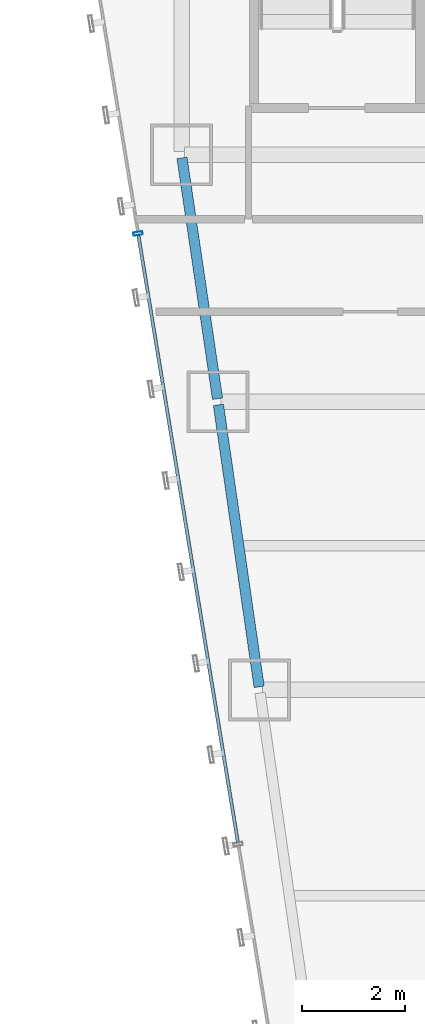
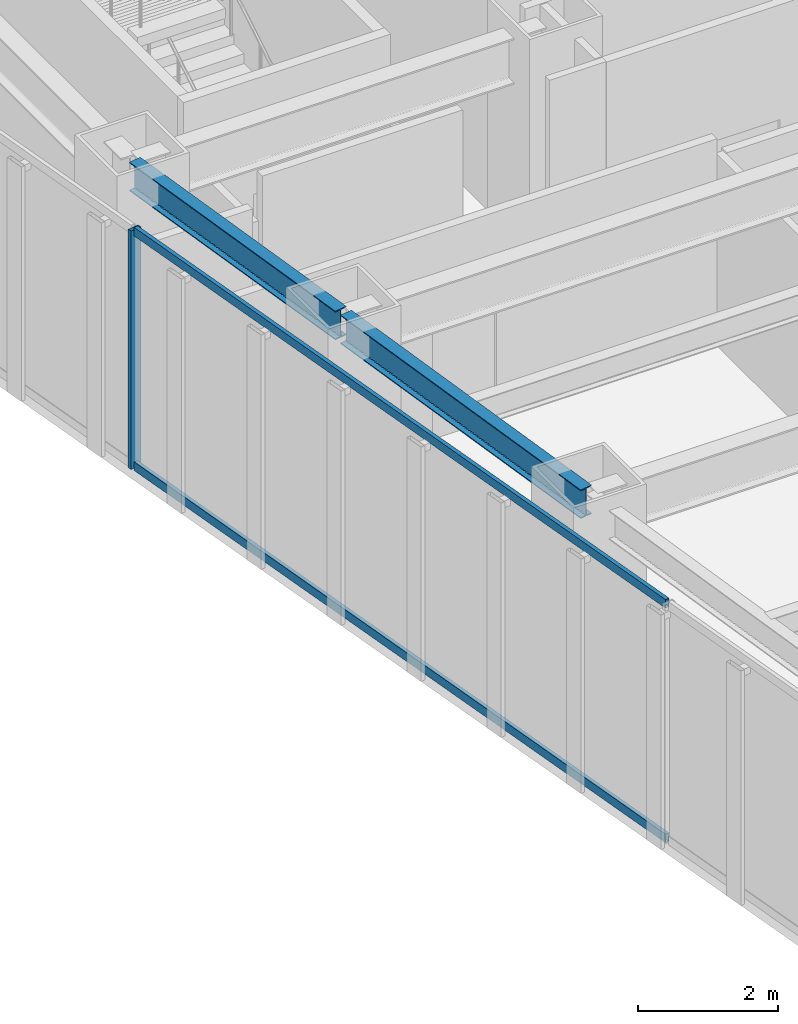
# One storey, part 22 of 47: 3 members, 2 beams, 1 element without a shape of its own.
"""IFC4 building model written with IfcOpenShell, lengths in metres."""

from ifc_helpers import new_model, si_unit, direction, frame, origin, origin_2d, place, context, subcontext, project, spatial, hollow_rectangle, i_section, extrude, material, material_profile, profile_set, type_object, element, aggregate, save


model = new_model("IFC4")

# Units and contexts
model_context = context("Model", 3, precision=1e-05, world=origin(), true_north=direction((0.0, 1.0)))
body_context = subcontext(model_context, "Body", "Model", "MODEL_VIEW")
ifc_project = project(units=[si_unit("LENGTHUNIT", "METRE"), si_unit("AREAUNIT", "SQUARE_METRE"), si_unit("VOLUMEUNIT", "CUBIC_METRE"), si_unit("PLANEANGLEUNIT", "RADIAN"), si_unit("MASSUNIT", "GRAM", prefix="KILO")], contexts=[model_context])

# Site, building, storey
site_placement = place(None, origin())
site = spatial("IfcSite", under=ifc_project, at=site_placement, CompositionType="ELEMENT")
building_placement = place(site_placement, origin())
building = spatial("IfcBuilding", under=site, at=building_placement, Name="Saevonmaru Cultural Tower", CompositionType="ELEMENT")
storey_placement = place(building_placement, frame((0.0, 0.0, 64.800048828125)))
storey = spatial("IfcBuildingStorey", under=building, at=storey_placement, Name="L13", CompositionType="ELEMENT", Elevation=64.800048828125)

# Beams
ifc_material_1 = material(Name="Steel SM355", Category="steel")
ifc_material_profile_1 = material_profile(ifc_material_1, i_section(OverallWidth=0.199951171875, OverallDepth=0.5, WebThickness=0.010009765625, FlangeThickness=0.01611328125, FilletRadius=0.02001953125, at=origin_2d()), Name="H-500x200x10x16")
ifc_profile_set_1 = profile_set([ifc_material_profile_1], Name="Steel SM355")
beam_type = type_object("IfcBeamType", Name="BM-SP-H500", PredefinedType="SPANDREL", material=ifc_profile_set_1)
beam_1_placement = place(storey_placement, frame((8.308349609375, 32.059326171875, 3.89990234375), z_axis=(-0.142964121327, 0.989727871697, 0.0), x_axis=(-0.989727871697, -0.142964121327, 0.0)))
element("IfcBeam", 1, at=beam_1_placement, inside=storey, type_object=beam_type, Name="L13 West Splayed Spandrel 5", PredefinedType="SPANDREL", context=body_context, shape_type="SweptSolid", body=[
    extrude(i_section(OverallWidth=0.199951171875, OverallDepth=0.5, WebThickness=0.010009765625, FlangeThickness=0.01611328125, FilletRadius=0.02001953125, at=origin_2d()), origin(), (0.0, 0.0, 1.0), 5.5380859375),
])
beam_2_placement = place(storey_placement, frame((7.499267578125, 37.659423828125, 3.89990234375), z_axis=(-0.145912860028, 0.989297446312, 0.0), x_axis=(-0.989297446312, -0.145912860028, 0.0)))
element("IfcBeam", 2, at=beam_2_placement, inside=storey, type_object=beam_type, Name="L13 West Splayed Spandrel 6", PredefinedType="SPANDREL", context=body_context, shape_type="SweptSolid", body=[
    extrude(i_section(OverallWidth=0.199951171875, OverallDepth=0.5, WebThickness=0.010009765625, FlangeThickness=0.01611328125, FilletRadius=0.02001953125, at=origin_2d()), origin(), (0.0, 0.0, 1.0), 4.731689453125),
])

# Curtain wall, members
ifc_material_2 = material(Name="Satin Bronze Anodised Aluminium", Category="aluminium")
curtain_wall_type = type_object("IfcCurtainWallType", Name="CW-TYP-A", PredefinedType="NOTDEFINED", material=ifc_material_2)
curtain_wall_placement = place(storey_placement, origin())
curtain_wall = element("IfcCurtainWall", 3, at=curtain_wall_placement, inside=storey, type_object=curtain_wall_type, Name="L13 Unitised Curtain Wall E12", PredefinedType="NOTDEFINED")
ifc_material_profile_2 = material_profile(ifc_material_2, hollow_rectangle(XDim=0.06494140625, YDim=0.179931640625, WallThickness=0.00390625, at=origin_2d()), Name="ALU-MULL-180x65x4")
ifc_profile_set_2 = profile_set([ifc_material_profile_2], Name="Satin Bronze Anodised Aluminium")
member_type_1 = type_object("IfcMemberType", Name="ML-CW-180x65", PredefinedType="MULLION", material=ifc_profile_set_2)
member_1_placement = place(storey_placement, frame((5.954833984375, 40.870361328125, 0.0), z_axis=(0.0, 0.0, 1.0), x_axis=(0.161708868641, -0.986838508472, 0.0)))
member_1 = element("IfcMember", 4, at=member_1_placement, type_object=member_type_1, Name="CW-TW-L13-E12 mullion 2", PredefinedType="MULLION", context=body_context, shape_type="SweptSolid", body=[
    extrude(hollow_rectangle(XDim=0.06494140625, YDim=0.179931640625, WallThickness=0.00390625, at=origin_2d()), origin(), (0.0, 0.0, 1.0), 4.14990234375),
])
ifc_material_profile_3 = material_profile(ifc_material_2, hollow_rectangle(XDim=0.06494140625, YDim=0.14990234375, WallThickness=0.00390625, at=origin_2d()), Name="ALU-TRAN-150x65x4")
ifc_profile_set_3 = profile_set([ifc_material_profile_3], Name="Satin Bronze Anodised Aluminium")
member_type_2 = type_object("IfcMemberType", Name="TR-CW-150x65", PredefinedType="USERDEFINED", material=ifc_profile_set_3)
member_2_placement = place(storey_placement, frame((5.960205078125, 40.83837890625, 0.032470703125), z_axis=(0.161701400727, -0.986839732177, 0.0), x_axis=(0.986839732177, 0.161701400727, 0.0)))
member_2 = element("IfcMember", 5, at=member_2_placement, type_object=member_type_2, Name="CW-TW-L13-E12 transom 2.1", ObjectType="TRANSOM", PredefinedType="USERDEFINED", context=body_context, shape_type="SweptSolid", body=[
    extrude(hollow_rectangle(XDim=0.06494140625, YDim=0.14990234375, WallThickness=0.00390625, at=origin_2d()), origin(), (0.0, 0.0, 1.0), 11.9638671875),
])
member_3_placement = place(storey_placement, frame((5.960205078125, 40.83837890625, 4.117431640625), z_axis=(0.161701400727, -0.986839732177, 0.0), x_axis=(0.986839732177, 0.161701400727, 0.0)))
member_3 = element("IfcMember", 6, at=member_3_placement, type_object=member_type_2, Name="CW-TW-L13-E12 transom 2.2", ObjectType="TRANSOM", PredefinedType="USERDEFINED", context=body_context, shape_type="SweptSolid", body=[
    extrude(hollow_rectangle(XDim=0.06494140625, YDim=0.14990234375, WallThickness=0.00390625, at=origin_2d()), origin(), (0.0, 0.0, 1.0), 11.9638671875),
])
aggregate(curtain_wall, [member_1, member_2, member_3])

save(model, "model.ifc")
